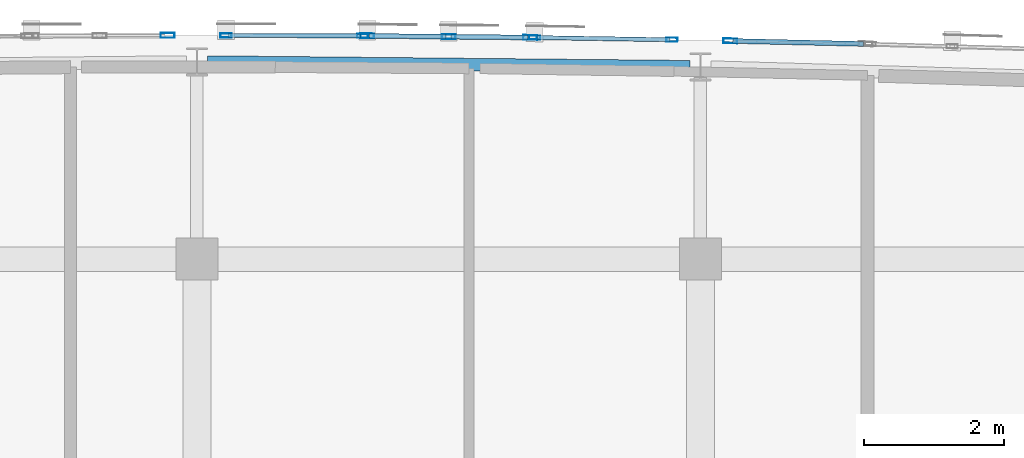
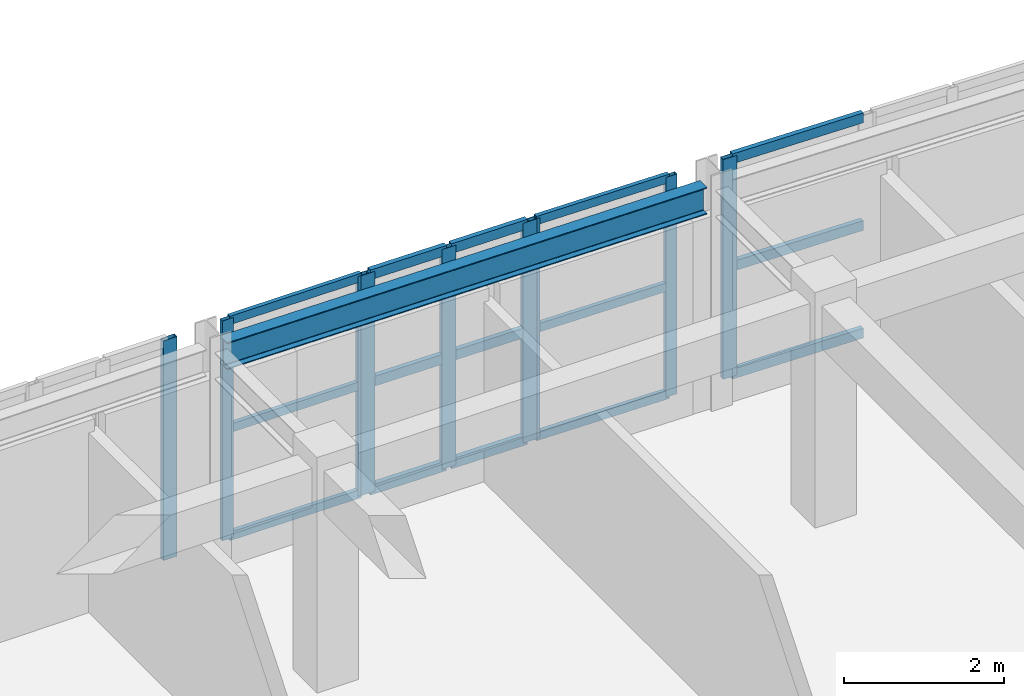
# One storey, part 18 of 51: 24 members, 1 beam, 5 elements without a shape of their own.
"""IFC4 building model written with IfcOpenShell, lengths in metres."""

import ifcopenshell
import ifcopenshell.guid

model = None  # the IFC model being written
_history = None  # IfcOwnerHistory: only IFC2X3 demands one
_inside = {}  # id of a spatial element -> (the spatial element, [elements in it])
_under = {}  # id of a project, library or spatial element -> (it, [spatial elements below it])
_declared = {}  # id of a project -> (the project, [libraries it declares])
_typed = {}  # id of a type object -> (the type object, [elements of that type])
_made_of = {}  # id of a material, layer set ... -> (it, [elements and type objects made of it])


def new_model(schema):
    """Start an empty IFC model of exactly this schema.

    Asked for "IFC4X3", IfcOpenShell would pick the latest addendum, in which some entities
    have other attributes; the version numbers below select the first issue.
    IFC2X3 requires an IfcOwnerHistory on every rooted entity: one is made here for all.
    """
    global model, _history
    if schema == "IFC4X3":
        model = ifcopenshell.file(schema_version=(4, 3, 0, 0))
    else:
        model = ifcopenshell.file(schema=schema)
    _inside.clear()
    _under.clear()
    _declared.clear()
    _typed.clear()
    _made_of.clear()
    _history = None
    if model.schema == "IFC2X3":
        org = make("IfcOrganization", Name="unknown")
        user = make(
            "IfcPersonAndOrganization",
            ThePerson=make("IfcPerson", FamilyName="unknown"),
            TheOrganization=org,
        )
        app = make(
            "IfcApplication",
            ApplicationDeveloper=org,
            Version="unknown",
            ApplicationFullName="unknown",
            ApplicationIdentifier="unknown",
        )
        _history = make(
            "IfcOwnerHistory",
            OwningUser=user,
            OwningApplication=app,
            ChangeAction="ADDED",
            CreationDate=0,
        )
    return model


def make(cls, **values):
    """One entity of the class cls with the attributes given. An attribute that is None is left unset."""
    return model.create_entity(
        cls, **{name: value for name, value in values.items() if value is not None}
    )


def rooted(cls, **values):
    """An entity with a GlobalId (a new one), such as an element, a storey or a relation."""
    return make(cls, GlobalId=ifcopenshell.guid.new(), OwnerHistory=_history, **values)


def si_unit(unit_type, name, prefix=None):
    """IfcSIUnit, for example si_unit("LENGTHUNIT", "METRE", prefix="MILLI")."""
    return make("IfcSIUnit", UnitType=unit_type, Prefix=prefix, Name=name)


def assignment(units):
    """IfcUnitAssignment: the units of a project."""
    return None if units is None else make("IfcUnitAssignment", Units=units)


def point(xyz):
    """IfcCartesianPoint."""
    return None if xyz is None else make("IfcCartesianPoint", Coordinates=xyz)


def direction(xyz):
    """IfcDirection."""
    return None if xyz is None else make("IfcDirection", DirectionRatios=xyz)


def frame(location, z_axis=None, x_axis=None):
    """IfcAxis2Placement3D, a coordinate frame: its origin and axes. An axis left out is left unset."""
    return make(
        "IfcAxis2Placement3D",
        Location=point(location),
        Axis=direction(z_axis),
        RefDirection=direction(x_axis),
    )


def frame_2d(location, x_axis=None):
    """IfcAxis2Placement2D, a coordinate frame in the plane: its origin and x axis."""
    return make(
        "IfcAxis2Placement2D", Location=point(location), RefDirection=direction(x_axis)
    )


def origin():
    """The frame at (0, 0, 0) with its axes left unset."""
    return frame((0.0, 0.0, 0.0))


def origin_2d():
    """The frame at (0, 0) in the plane with its x axis left unset."""
    return frame_2d((0.0, 0.0))


def place(relative_to, where):
    """IfcLocalPlacement: puts the frame where relative to a parent placement (None: the world)."""
    return make(
        "IfcLocalPlacement", PlacementRelTo=relative_to, RelativePlacement=where
    )


def context(
    kind, dimensions, precision=None, world=None, true_north=None, identifier=None
):
    """IfcGeometricRepresentationContext, for example the 3D "Model" context."""
    return make(
        "IfcGeometricRepresentationContext",
        ContextIdentifier=identifier,
        ContextType=kind,
        CoordinateSpaceDimension=dimensions,
        Precision=precision,
        WorldCoordinateSystem=world,
        TrueNorth=true_north,
    )


def subcontext(parent, identifier, kind, view, scale=None):
    """IfcGeometricRepresentationSubContext, for example "Body" below "Model"."""
    return make(
        "IfcGeometricRepresentationSubContext",
        ContextIdentifier=identifier,
        ContextType=kind,
        ParentContext=parent,
        TargetScale=scale,
        TargetView=view,
    )


def project(units=None, contexts=None):
    """IfcProject with its units and contexts."""
    return rooted(
        "IfcProject",
        Name="project",
        RepresentationContexts=contexts,
        UnitsInContext=assignment(units),
    )


def spatial(cls, under=None, at=None, **own):
    """A site, building, storey or space (cls), placed at a placement, below another one or the project."""
    s = rooted(cls, ObjectPlacement=at, **own)
    if under is not None:
        _under.setdefault(under.id(), (under, []))[1].append(s)
    return s


def profile(cls, at=None, kind="AREA", **sizes):
    """A parametric profile (cls). Its sizes go by their IFC names, for example OverallWidth=200.0."""
    return make(cls, ProfileType=kind, Position=at, **sizes)


def hollow_rectangle(**sizes):
    """IfcRectangleHollowProfileDef."""
    return profile("IfcRectangleHollowProfileDef", **sizes)


def i_section(**sizes):
    """IfcIShapeProfileDef."""
    return profile("IfcIShapeProfileDef", **sizes)


def extrude(swept, where, along, depth):
    """IfcExtrudedAreaSolid: the profile swept, set in the frame where, extruded along a direction by depth."""
    return make(
        "IfcExtrudedAreaSolid",
        SweptArea=swept,
        Position=where,
        ExtrudedDirection=direction(along),
        Depth=depth,
    )


def shape(context_of_items, identifier, shape_type, items):
    """IfcShapeRepresentation: the items that make up one representation, for example the "Body"."""
    return make(
        "IfcShapeRepresentation",
        ContextOfItems=context_of_items,
        RepresentationIdentifier=identifier,
        RepresentationType=shape_type,
        Items=items,
    )


def material(Name=None, Category=None):
    """IfcMaterial."""
    return make("IfcMaterial", Name=Name, Category=Category)


def layer(
    of_material, thickness, ventilated=None, Name=None, Category=None, Priority=None
):
    """IfcMaterialLayer: one layer of a wall or slab, of a material (None: an air gap)."""
    return make(
        "IfcMaterialLayer",
        Material=of_material,
        LayerThickness=thickness,
        IsVentilated=ventilated,
        Name=Name,
        Category=Category,
        Priority=Priority,
    )


def layer_set(layers, Name=None):
    """IfcMaterialLayerSet."""
    return make("IfcMaterialLayerSet", MaterialLayers=layers, LayerSetName=Name)


def material_profile(
    of_material, cross_section, Name=None, Category=None, Priority=None
):
    """IfcMaterialProfile: a cross section and its material."""
    return make(
        "IfcMaterialProfile",
        Name=Name,
        Material=of_material,
        Profile=cross_section,
        Priority=Priority,
        Category=Category,
    )


def profile_set(profiles, Name=None, composite=None):
    """IfcMaterialProfileSet."""
    return make(
        "IfcMaterialProfileSet",
        Name=Name,
        MaterialProfiles=profiles,
        CompositeProfile=composite,
    )


def made_of(thing, what):
    """Note that an element or type object is made of a material, layer set ...; save() writes the relation."""
    if what is not None:
        _made_of.setdefault(what.id(), (what, []))[1].append(thing)
    return thing


def type_object(cls, material=None, **own):
    """A type object (cls), such as IfcWallType, which elements share."""
    return made_of(rooted(cls, **own), material)


def element(
    cls,
    number,
    at=None,
    inside=None,
    cuts=None,
    type_object=None,
    material=None,
    context=None,
    identifier="Body",
    shape_type=None,
    held_by="IfcProductDefinitionShape",
    body=None,
    shapes=None,
    **own,
):
    """One element of the class cls, such as IfcWall. Its Tag is "e" and its number.

    at: its placement. inside: the storey or other place that contains it. cuts: it is an
    opening in that element (IfcRelVoidsElement). A single representation is given by context,
    identifier, shape_type and body (its items); several are given by shapes. held_by: the class
    of the entity that holds the representations. save() writes the other relations.
    """
    e = rooted(cls, Tag="e%d" % number, ObjectPlacement=at, **own)
    if body is not None:
        shapes = [shape(context, identifier, shape_type, body)]
    if shapes is not None:
        e.Representation = make(held_by, Representations=shapes)
    if inside is not None:
        _inside.setdefault(inside.id(), (inside, []))[1].append(e)
    if cuts is not None:
        rooted(
            "IfcRelVoidsElement", RelatingBuildingElement=cuts, RelatedOpeningElement=e
        )
    if type_object is not None:
        _typed.setdefault(type_object.id(), (type_object, []))[1].append(e)
    return made_of(e, material)


def aggregate(whole, parts):
    """IfcRelAggregates: a whole, such as a stair, and the parts it consists of."""
    return rooted("IfcRelAggregates", RelatingObject=whole, RelatedObjects=parts)


def save(model, path):
    """Write the relations noted so far, then the file.

    IfcRelAggregates (storeys below a building ...), IfcRelContainedInSpatialStructure (elements
    in a storey), IfcRelDefinesByType, IfcRelAssociatesMaterial and IfcRelDeclares: one each for
    every whole, place, type object, material and project.
    """
    for whole, parts in _under.values():
        aggregate(whole, parts)
    for where, things in _inside.values():
        rooted(
            "IfcRelContainedInSpatialStructure",
            RelatedElements=things,
            RelatingStructure=where,
        )
    for kind, things in _typed.values():
        rooted("IfcRelDefinesByType", RelatedObjects=things, RelatingType=kind)
    for what, things in _made_of.values():
        rooted("IfcRelAssociatesMaterial", RelatedObjects=things, RelatingMaterial=what)
    for by, libraries in _declared.values():
        rooted("IfcRelDeclares", RelatingContext=by, RelatedDefinitions=libraries)
    model.write(path)


model = new_model("IFC4")

# Units and contexts
model_context = context("Model", 3, precision=1e-05, world=origin(), true_north=direction((0.0, 1.0)))
body_context = subcontext(model_context, "Body", "Model", "MODEL_VIEW")
ifc_project = project(units=[si_unit("LENGTHUNIT", "METRE"), si_unit("AREAUNIT", "SQUARE_METRE"), si_unit("VOLUMEUNIT", "CUBIC_METRE"), si_unit("PLANEANGLEUNIT", "RADIAN"), si_unit("MASSUNIT", "GRAM", prefix="KILO")], contexts=[model_context])

# Site, building, storey
site_placement = place(None, origin())
site = spatial("IfcSite", under=ifc_project, at=site_placement, CompositionType="ELEMENT")
building_placement = place(site_placement, origin())
building = spatial("IfcBuilding", under=site, at=building_placement, Name="Carrowvane Square Congress Hotel", CompositionType="ELEMENT")
storey_placement = place(building_placement, frame((0.0, 0.0, 30.0)))
storey = spatial("IfcBuildingStorey", under=building, at=storey_placement, Name="L07", CompositionType="ELEMENT", Elevation=30.0)

# Beam
ifc_material_1 = material(Name="Steel S355", Category="steel")
ifc_material_profile_1 = material_profile(ifc_material_1, i_section(OverallWidth=0.1787109375, OverallDepth=0.409423828125, WebThickness=0.0087890625, FlangeThickness=0.014404296875, FilletRadius=0.01025390625, at=origin_2d()), Name="UKB 406x178x67")
ifc_profile_set_1 = profile_set([ifc_material_profile_1], Name="Steel S355")
beam_type = type_object("IfcBeamType", Name="BM-ST-UKB406", PredefinedType="BEAM", material=ifc_profile_set_1)
beam_placement = place(storey_placement, frame((98.14990234375, 116.218505859375, 3.1552734375), z_axis=(0.999952666563, -0.00972957518, 0.0), x_axis=(0.00972957518, 0.999952666563, 0.0)))
element("IfcBeam", 1, at=beam_placement, inside=storey, type_object=beam_type, Name="L08 curved north spandrel", PredefinedType="BEAM", context=body_context, shape_type="SweptSolid", body=[
    extrude(i_section(OverallWidth=0.1787109375, OverallDepth=0.409423828125, WebThickness=0.0087890625, FlangeThickness=0.014404296875, FilletRadius=0.01025390625, at=origin_2d()), origin(), (0.0, 0.0, 1.0), 6.900390625),
])

# Curtain wall, members
ifc_material_2 = material(Name="Anodised aluminium", Category="aluminium")
ifc_layer_1 = layer(ifc_material_2, 0.162109375)
ifc_layer_set_1 = layer_set([ifc_layer_1], Name="Anodised aluminium")
curtain_wall_type_1 = type_object("IfcCurtainWallType", Name="CW-SYS-1", PredefinedType="NOTDEFINED", material=ifc_layer_set_1)
curtain_wall_1_placement = place(storey_placement, origin())
curtain_wall_1 = element("IfcCurtainWall", 2, at=curtain_wall_1_placement, inside=storey, type_object=curtain_wall_type_1, Name="L07 unitised curtain wall 432", PredefinedType="NOTDEFINED")
ifc_material_3 = material(Name="Anodised aluminium", Category="aluminium")
ifc_material_profile_2 = material_profile(ifc_material_3, hollow_rectangle(XDim=0.06005859375, YDim=0.159912109375, WallThickness=0.00390625, at=origin_2d()), Name="CW-ML 60x160x4")
ifc_profile_set_2 = profile_set([ifc_material_profile_2], Name="Anodised aluminium")
member_type_1 = type_object("IfcMemberType", Name="CW-MUL-1", PredefinedType="MULLION", material=ifc_profile_set_2)
member_1_placement = place(storey_placement, frame((98.414794921875, 116.5986328125, 0.0), z_axis=(0.0, 0.0, 1.0), x_axis=(0.003270307911, 0.999994652529, 0.0)))
member_1 = element("IfcMember", 3, at=member_1_placement, type_object=member_type_1, Name="CW-1 mullion 1", PredefinedType="MULLION", context=body_context, shape_type="SweptSolid", body=[
    extrude(hollow_rectangle(XDim=0.06005859375, YDim=0.159912109375, WallThickness=0.00390625, at=origin_2d()), origin(), (0.0, 0.0, 1.0), 3.360107421875),
])
member_2_placement = place(storey_placement, frame((100.369873046875, 116.59228515625, 0.0), z_axis=(0.0, 0.0, 1.0), x_axis=(0.003270307911, 0.999994652529, 0.0)))
member_2 = element("IfcMember", 4, at=member_2_placement, type_object=member_type_1, Name="CW-1 mullion 2", PredefinedType="MULLION", context=body_context, shape_type="SweptSolid", body=[
    extrude(hollow_rectangle(XDim=0.06005859375, YDim=0.159912109375, WallThickness=0.00390625, at=origin_2d()), origin(), (0.0, 0.0, 1.0), 3.360107421875),
])

ifc_material_4 = material(Name="Anodised aluminium", Category="aluminium")
ifc_layer_2 = layer(ifc_material_4, 0.18603515625)
ifc_layer_set_2 = layer_set([ifc_layer_2], Name="Anodised aluminium")
curtain_wall_type_2 = type_object("IfcCurtainWallType", Name="CW-SYS-3", PredefinedType="NOTDEFINED", material=ifc_layer_set_2)
curtain_wall_2_placement = place(storey_placement, origin())
curtain_wall_2 = element("IfcCurtainWall", 5, at=curtain_wall_2_placement, inside=storey, type_object=curtain_wall_type_2, Name="L07 unitised curtain wall 434", PredefinedType="NOTDEFINED")
member_3_placement = place(storey_placement, frame((102.830078125, 116.568115234375, 0.0), z_axis=(0.0, 0.0, 1.0), x_axis=(0.016215981364, 0.99986851233, 0.0)))
member_3 = element("IfcMember", 6, at=member_3_placement, type_object=member_type_1, Name="CW-3 mullion 1", PredefinedType="MULLION", context=body_context, shape_type="SweptSolid", body=[
    extrude(hollow_rectangle(XDim=0.06005859375, YDim=0.159912109375, WallThickness=0.00390625, at=origin_2d()), origin(), (0.0, 0.0, 1.0), 3.360107421875),
])
member_4_placement = place(storey_placement, frame((104.79248046875, 116.536376953125, 0.0), z_axis=(0.0, 0.0, 1.0), x_axis=(0.016215981364, 0.99986851233, 0.0)))
member_4 = element("IfcMember", 7, at=member_4_placement, type_object=member_type_1, Name="CW-3 mullion 2", PredefinedType="MULLION", context=body_context, shape_type="SweptSolid", body=[
    extrude(hollow_rectangle(XDim=0.06005859375, YDim=0.159912109375, WallThickness=0.00390625, at=origin_2d()), origin(), (0.0, 0.0, 1.0), 3.360107421875),
])

# Curtain wall, member
ifc_material_5 = material(Name="Anodised aluminium", Category="aluminium")
ifc_layer_3 = layer(ifc_material_5, 0.24609375)
ifc_layer_set_3 = layer_set([ifc_layer_3], Name="Anodised aluminium")
curtain_wall_type_3 = type_object("IfcCurtainWallType", Name="CW-SYS-8", PredefinedType="NOTDEFINED", material=ifc_layer_set_3)
curtain_wall_3_placement = place(storey_placement, origin())
curtain_wall_3 = element("IfcCurtainWall", 8, at=curtain_wall_3_placement, inside=storey, type_object=curtain_wall_type_3, Name="L07 unitised curtain wall 431", PredefinedType="NOTDEFINED")
ifc_material_6 = material(Name="Anodised aluminium", Category="aluminium")
ifc_material_profile_3 = material_profile(ifc_material_6, hollow_rectangle(XDim=0.070068359375, YDim=0.199951171875, WallThickness=0.0048828125, at=origin_2d()), Name="CW-ML 70x200x5")
ifc_profile_set_3 = profile_set([ifc_material_profile_3], Name="Anodised aluminium")
member_type_2 = type_object("IfcMemberType", Name="CW-MUL-2", PredefinedType="MULLION", material=ifc_profile_set_3)
member_5_placement = place(storey_placement, frame((97.580078125, 116.5986328125, 0.0), z_axis=(0.0, 0.0, 1.0), x_axis=(-0.003270307911, 0.999994652529, 0.0)))
member_5 = element("IfcMember", 9, at=member_5_placement, type_object=member_type_2, Name="CW-8 mullion 3", PredefinedType="MULLION", context=body_context, shape_type="SweptSolid", body=[
    extrude(hollow_rectangle(XDim=0.070068359375, YDim=0.199951171875, WallThickness=0.0048828125, at=origin_2d()), origin(), (0.0, 0.0, 1.0), 3.360107421875),
])
aggregate(curtain_wall_3, [member_5])

# Curtain wall, members
ifc_material_7 = material(Name="Anodised aluminium", Category="aluminium")
ifc_layer_4 = layer(ifc_material_7, 0.174072265625)
ifc_layer_set_4 = layer_set([ifc_layer_4], Name="Anodised aluminium")
curtain_wall_type_4 = type_object("IfcCurtainWallType", Name="CW-SYS-2", PredefinedType="NOTDEFINED", material=ifc_layer_set_4)
curtain_wall_4_placement = place(storey_placement, origin())
curtain_wall_4 = element("IfcCurtainWall", 10, at=curtain_wall_4_placement, inside=storey, type_object=curtain_wall_type_4, Name="L07 unitised curtain wall 433", PredefinedType="NOTDEFINED")
member_6_placement = place(storey_placement, frame((100.43505859375, 116.591796875, 0.0), z_axis=(0.0, 0.0, 1.0), x_axis=(0.009782905924, 0.999952146231, 0.0)))
member_6 = element("IfcMember", 11, at=member_6_placement, type_object=member_type_2, Name="CW-2 mullion 1", PredefinedType="MULLION", context=body_context, shape_type="SweptSolid", body=[
    extrude(hollow_rectangle(XDim=0.070068359375, YDim=0.199951171875, WallThickness=0.0048828125, at=origin_2d()), origin(), (0.0, 0.0, 1.0), 3.360107421875),
])
member_7_placement = place(storey_placement, frame((101.60009765625, 116.580322265625, 0.0), z_axis=(0.0, 0.0, 1.0), x_axis=(0.009782905924, 0.999952146231, 0.0)))
member_7 = element("IfcMember", 12, at=member_7_placement, type_object=member_type_2, Name="CW-2 mullion 2", PredefinedType="MULLION", context=body_context, shape_type="SweptSolid", body=[
    extrude(hollow_rectangle(XDim=0.070068359375, YDim=0.199951171875, WallThickness=0.0048828125, at=origin_2d()), origin(), (0.0, 0.0, 1.0), 3.360107421875),
])
member_8_placement = place(storey_placement, frame((102.764892578125, 116.569091796875, 0.0), z_axis=(0.0, 0.0, 1.0), x_axis=(0.009782905924, 0.999952146231, 0.0)))
member_8 = element("IfcMember", 13, at=member_8_placement, type_object=member_type_2, Name="CW-2 mullion 3", PredefinedType="MULLION", context=body_context, shape_type="SweptSolid", body=[
    extrude(hollow_rectangle(XDim=0.070068359375, YDim=0.199951171875, WallThickness=0.0048828125, at=origin_2d()), origin(), (0.0, 0.0, 1.0), 3.360107421875),
])

# Curtain wall, member
ifc_material_8 = material(Name="Anodised aluminium", Category="aluminium")
ifc_layer_5 = layer(ifc_material_8, 0.197998046875)
ifc_layer_set_5 = layer_set([ifc_layer_5], Name="Anodised aluminium")
curtain_wall_type_5 = type_object("IfcCurtainWallType", Name="CW-SYS-4", PredefinedType="NOTDEFINED", material=ifc_layer_set_5)
curtain_wall_5_placement = place(storey_placement, origin())
curtain_wall_5 = element("IfcCurtainWall", 14, at=curtain_wall_5_placement, inside=storey, type_object=curtain_wall_type_5, Name="L07 unitised curtain wall 435", PredefinedType="NOTDEFINED")
member_9_placement = place(storey_placement, frame((105.627197265625, 116.52001953125, 0.0), z_axis=(0.0, 0.0, 1.0), x_axis=(0.022517686606, 0.99974644475, 0.0)))
member_9 = element("IfcMember", 15, at=member_9_placement, type_object=member_type_2, Name="CW-4 mullion 1", PredefinedType="MULLION", context=body_context, shape_type="SweptSolid", body=[
    extrude(hollow_rectangle(XDim=0.070068359375, YDim=0.199951171875, WallThickness=0.0048828125, at=origin_2d()), origin(), (0.0, 0.0, 1.0), 3.360107421875),
])

# Member
ifc_material_9 = material(Name="Anodised aluminium", Category="aluminium")
ifc_material_profile_4 = material_profile(ifc_material_9, hollow_rectangle(XDim=0.06005859375, YDim=0.1298828125, WallThickness=0.00390625, at=origin_2d()), Name="CW-TR 60x130x4")
ifc_profile_set_4 = profile_set([ifc_material_profile_4], Name="Anodised aluminium")
member_type_3 = type_object("IfcMemberType", Name="CW-TRN-1", PredefinedType="USERDEFINED", material=ifc_profile_set_4)
member_10_placement = place(storey_placement, frame((98.44482421875, 116.5986328125, 0.030029296875), z_axis=(0.999994391408, -0.003349201878, 0.0), x_axis=(0.003349201878, 0.999994391408, 0.0)))
member_10 = element("IfcMember", 16, at=member_10_placement, type_object=member_type_3, Name="CW-1 transom 1.1", ObjectType="TRANSOM", PredefinedType="USERDEFINED", context=body_context, shape_type="SweptSolid", body=[
    extrude(hollow_rectangle(XDim=0.06005859375, YDim=0.1298828125, WallThickness=0.00390625, at=origin_2d()), origin(), (0.0, 0.0, 1.0), 1.895263671875),
])

member_11_placement = place(storey_placement, frame((98.44482421875, 116.5986328125, 1.679931640625), z_axis=(0.999994391408, -0.003349201878, 0.0), x_axis=(0.003349201878, 0.999994391408, 0.0)))
member_11 = element("IfcMember", 17, at=member_11_placement, type_object=member_type_3, Name="CW-1 transom 1.2", ObjectType="TRANSOM", PredefinedType="USERDEFINED", context=body_context, shape_type="SweptSolid", body=[
    extrude(hollow_rectangle(XDim=0.06005859375, YDim=0.1298828125, WallThickness=0.00390625, at=origin_2d()), origin(), (0.0, 0.0, 1.0), 1.895263671875),
])

member_12_placement = place(storey_placement, frame((98.44482421875, 116.5986328125, 3.330078125), z_axis=(0.999994391408, -0.003349201878, 0.0), x_axis=(0.003349201878, 0.999994391408, 0.0)))
member_12 = element("IfcMember", 18, at=member_12_placement, type_object=member_type_3, Name="CW-1 transom 1.3", ObjectType="TRANSOM", PredefinedType="USERDEFINED", context=body_context, shape_type="SweptSolid", body=[
    extrude(hollow_rectangle(XDim=0.06005859375, YDim=0.1298828125, WallThickness=0.00390625, at=origin_2d()), origin(), (0.0, 0.0, 1.0), 1.895263671875),
])

aggregate(curtain_wall_1, [member_1, member_2, member_10, member_11, member_12])

member_13_placement = place(storey_placement, frame((102.860107421875, 116.567626953125, 0.030029296875), z_axis=(0.999869284212, -0.016168317481, 0.0), x_axis=(0.016168317481, 0.999869284212, 0.0)))
member_13 = element("IfcMember", 19, at=member_13_placement, type_object=member_type_3, Name="CW-3 transom 1.1", ObjectType="TRANSOM", PredefinedType="USERDEFINED", context=body_context, shape_type="SweptSolid", body=[
    extrude(hollow_rectangle(XDim=0.06005859375, YDim=0.1298828125, WallThickness=0.00390625, at=origin_2d()), origin(), (0.0, 0.0, 1.0), 1.902587890625),
])

member_14_placement = place(storey_placement, frame((102.860107421875, 116.567626953125, 1.679931640625), z_axis=(0.999869284212, -0.016168317481, 0.0), x_axis=(0.016168317481, 0.999869284212, 0.0)))
member_14 = element("IfcMember", 20, at=member_14_placement, type_object=member_type_3, Name="CW-3 transom 1.2", ObjectType="TRANSOM", PredefinedType="USERDEFINED", context=body_context, shape_type="SweptSolid", body=[
    extrude(hollow_rectangle(XDim=0.06005859375, YDim=0.1298828125, WallThickness=0.00390625, at=origin_2d()), origin(), (0.0, 0.0, 1.0), 1.902587890625),
])

member_15_placement = place(storey_placement, frame((102.860107421875, 116.567626953125, 3.330078125), z_axis=(0.999869284212, -0.016168317481, 0.0), x_axis=(0.016168317481, 0.999869284212, 0.0)))
member_15 = element("IfcMember", 21, at=member_15_placement, type_object=member_type_3, Name="CW-3 transom 1.3", ObjectType="TRANSOM", PredefinedType="USERDEFINED", context=body_context, shape_type="SweptSolid", body=[
    extrude(hollow_rectangle(XDim=0.06005859375, YDim=0.1298828125, WallThickness=0.00390625, at=origin_2d()), origin(), (0.0, 0.0, 1.0), 1.902587890625),
])

aggregate(curtain_wall_2, [member_3, member_4, member_13, member_14, member_15])

ifc_material_10 = material(Name="Anodised aluminium", Category="aluminium")
ifc_material_profile_5 = material_profile(ifc_material_10, hollow_rectangle(XDim=0.070068359375, YDim=0.14990234375, WallThickness=0.0048828125, at=origin_2d()), Name="CW-TR 70x150x5")
ifc_profile_set_5 = profile_set([ifc_material_profile_5], Name="Anodised aluminium")
member_type_4 = type_object("IfcMemberType", Name="CW-TRN-2", PredefinedType="USERDEFINED", material=ifc_profile_set_5)
member_16_placement = place(storey_placement, frame((100.469970703125, 116.591552734375, 0.034912109375), z_axis=(0.999951880721, -0.009810007302, 0.0), x_axis=(0.009810007302, 0.999951880721, 0.0)))
member_16 = element("IfcMember", 22, at=member_16_placement, type_object=member_type_4, Name="CW-2 transom 1.1", ObjectType="TRANSOM", PredefinedType="USERDEFINED", context=body_context, shape_type="SweptSolid", body=[
    extrude(hollow_rectangle(XDim=0.070068359375, YDim=0.14990234375, WallThickness=0.0048828125, at=origin_2d()), origin(), (0.0, 0.0, 1.0), 1.094970703125),
])

member_17_placement = place(storey_placement, frame((100.469970703125, 116.591552734375, 1.679931640625), z_axis=(0.999951880721, -0.009810007302, 0.0), x_axis=(0.009810007302, 0.999951880721, 0.0)))
member_17 = element("IfcMember", 23, at=member_17_placement, type_object=member_type_4, Name="CW-2 transom 1.2", ObjectType="TRANSOM", PredefinedType="USERDEFINED", context=body_context, shape_type="SweptSolid", body=[
    extrude(hollow_rectangle(XDim=0.070068359375, YDim=0.14990234375, WallThickness=0.0048828125, at=origin_2d()), origin(), (0.0, 0.0, 1.0), 1.094970703125),
])

member_18_placement = place(storey_placement, frame((100.469970703125, 116.591552734375, 3.324951171875), z_axis=(0.999951880721, -0.009810007302, 0.0), x_axis=(0.009810007302, 0.999951880721, 0.0)))
member_18 = element("IfcMember", 24, at=member_18_placement, type_object=member_type_4, Name="CW-2 transom 1.3", ObjectType="TRANSOM", PredefinedType="USERDEFINED", context=body_context, shape_type="SweptSolid", body=[
    extrude(hollow_rectangle(XDim=0.070068359375, YDim=0.14990234375, WallThickness=0.0048828125, at=origin_2d()), origin(), (0.0, 0.0, 1.0), 1.094970703125),
])

member_19_placement = place(storey_placement, frame((101.635009765625, 116.580078125, 0.034912109375), z_axis=(0.999951880721, -0.009810007302, 0.0), x_axis=(0.009810007302, 0.999951880721, 0.0)))
member_19 = element("IfcMember", 25, at=member_19_placement, type_object=member_type_4, Name="CW-2 transom 2.1", ObjectType="TRANSOM", PredefinedType="USERDEFINED", context=body_context, shape_type="SweptSolid", body=[
    extrude(hollow_rectangle(XDim=0.070068359375, YDim=0.14990234375, WallThickness=0.0048828125, at=origin_2d()), origin(), (0.0, 0.0, 1.0), 1.094970703125),
])

member_20_placement = place(storey_placement, frame((101.635009765625, 116.580078125, 1.679931640625), z_axis=(0.999951880721, -0.009810007302, 0.0), x_axis=(0.009810007302, 0.999951880721, 0.0)))
member_20 = element("IfcMember", 26, at=member_20_placement, type_object=member_type_4, Name="CW-2 transom 2.2", ObjectType="TRANSOM", PredefinedType="USERDEFINED", context=body_context, shape_type="SweptSolid", body=[
    extrude(hollow_rectangle(XDim=0.070068359375, YDim=0.14990234375, WallThickness=0.0048828125, at=origin_2d()), origin(), (0.0, 0.0, 1.0), 1.094970703125),
])

member_21_placement = place(storey_placement, frame((101.635009765625, 116.580078125, 3.324951171875), z_axis=(0.999951880721, -0.009810007302, 0.0), x_axis=(0.009810007302, 0.999951880721, 0.0)))
member_21 = element("IfcMember", 27, at=member_21_placement, type_object=member_type_4, Name="CW-2 transom 2.3", ObjectType="TRANSOM", PredefinedType="USERDEFINED", context=body_context, shape_type="SweptSolid", body=[
    extrude(hollow_rectangle(XDim=0.070068359375, YDim=0.14990234375, WallThickness=0.0048828125, at=origin_2d()), origin(), (0.0, 0.0, 1.0), 1.094970703125),
])

aggregate(curtain_wall_4, [member_6, member_7, member_8, member_16, member_17, member_18, member_19, member_20, member_21])

member_22_placement = place(storey_placement, frame((105.662353515625, 116.519287109375, 0.034912109375), z_axis=(0.999747338303, -0.022477979371, 0.0), x_axis=(0.022477979371, 0.999747338303, 0.0)))
member_22 = element("IfcMember", 28, at=member_22_placement, type_object=member_type_4, Name="CW-4 transom 1.1", ObjectType="TRANSOM", PredefinedType="USERDEFINED", context=body_context, shape_type="SweptSolid", body=[
    extrude(hollow_rectangle(XDim=0.070068359375, YDim=0.14990234375, WallThickness=0.0048828125, at=origin_2d()), origin(), (0.0, 0.0, 1.0), 1.8681640625),
])

member_23_placement = place(storey_placement, frame((105.662353515625, 116.519287109375, 1.679931640625), z_axis=(0.999747338303, -0.022477979371, 0.0), x_axis=(0.022477979371, 0.999747338303, 0.0)))
member_23 = element("IfcMember", 29, at=member_23_placement, type_object=member_type_4, Name="CW-4 transom 1.2", ObjectType="TRANSOM", PredefinedType="USERDEFINED", context=body_context, shape_type="SweptSolid", body=[
    extrude(hollow_rectangle(XDim=0.070068359375, YDim=0.14990234375, WallThickness=0.0048828125, at=origin_2d()), origin(), (0.0, 0.0, 1.0), 1.8681640625),
])

member_24_placement = place(storey_placement, frame((105.662353515625, 116.519287109375, 3.324951171875), z_axis=(0.999747338303, -0.022477979371, 0.0), x_axis=(0.022477979371, 0.999747338303, 0.0)))
member_24 = element("IfcMember", 30, at=member_24_placement, type_object=member_type_4, Name="CW-4 transom 1.3", ObjectType="TRANSOM", PredefinedType="USERDEFINED", context=body_context, shape_type="SweptSolid", body=[
    extrude(hollow_rectangle(XDim=0.070068359375, YDim=0.14990234375, WallThickness=0.0048828125, at=origin_2d()), origin(), (0.0, 0.0, 1.0), 1.8681640625),
])

aggregate(curtain_wall_5, [member_9, member_22, member_23, member_24])

save(model, "model.ifc")
